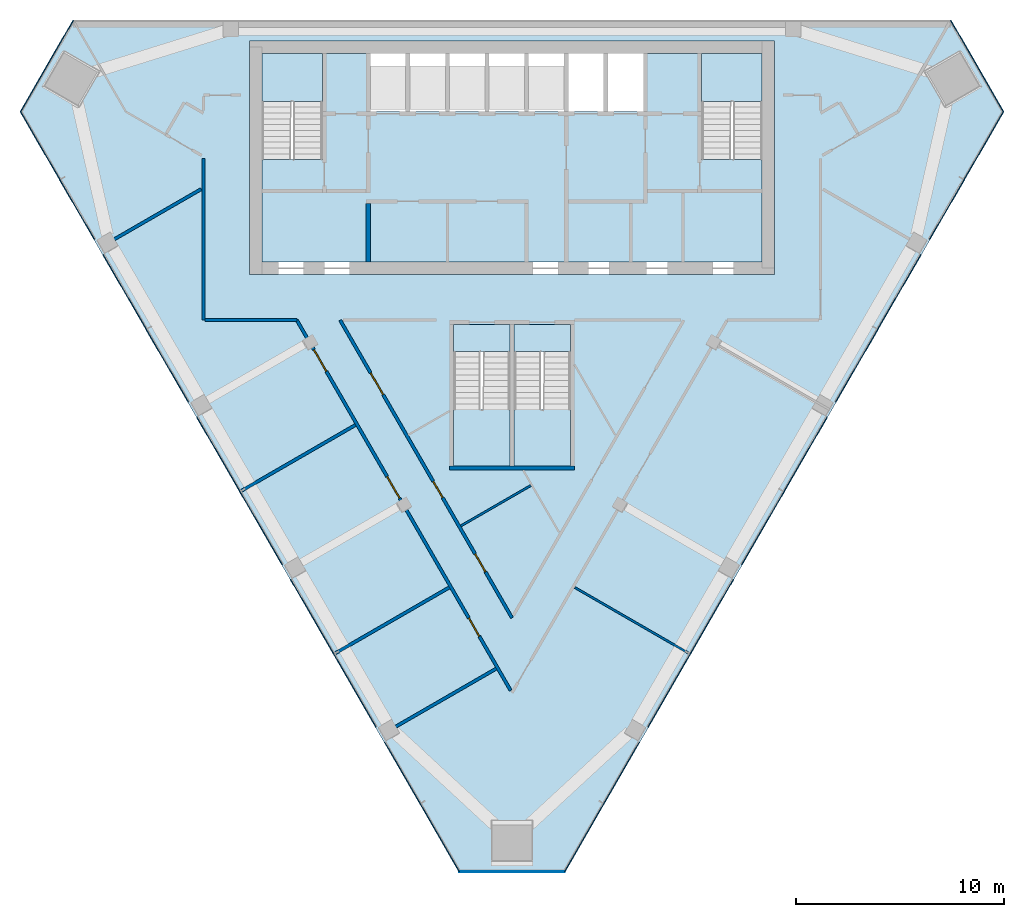
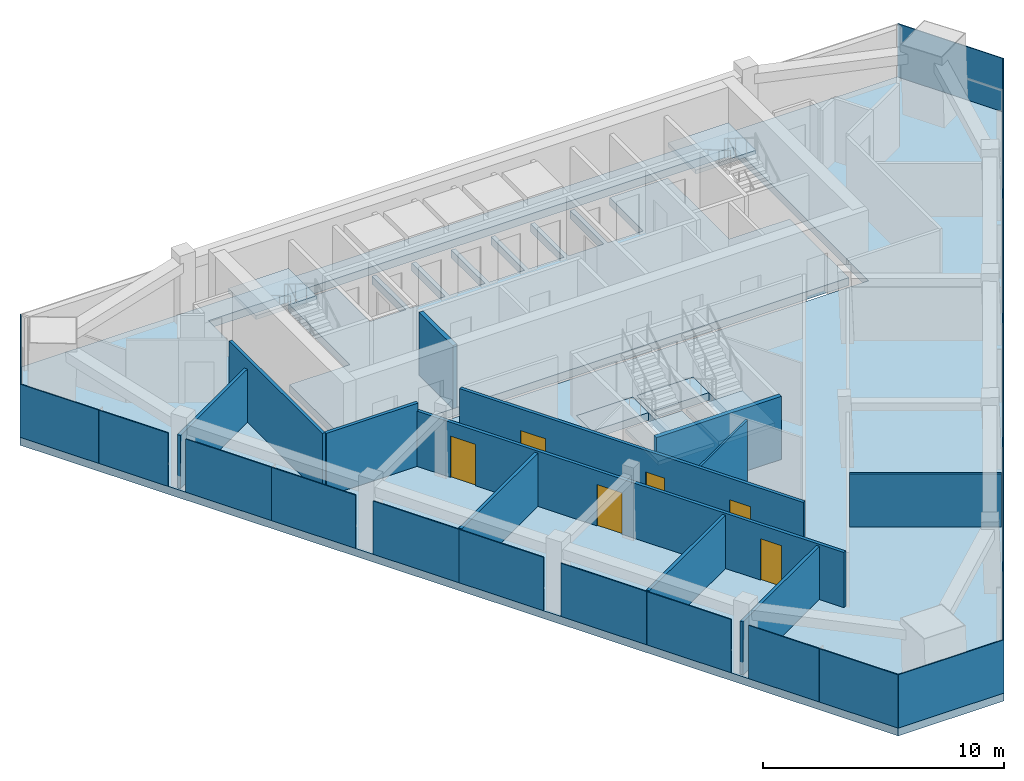
# One storey, part 7 of 12: 23 plates, 12 walls, 8 slabs, 6 doors, 6 openings, 9 elements without a shape of their own.
"""IFC4 building model written with IfcOpenShell, lengths in metres."""

from ifc_helpers import new_model, si_unit, direction, frame, frame_2d, origin, origin_2d, place, context, subcontext, project, spatial, polyline, rectangle, outline, extrude, material, layer, layer_set, type_object, element, fill, aggregate, save


model = new_model("IFC4")

# Units and contexts
model_context = context("Model", 3, precision=1e-05, world=origin(), true_north=direction((0.0, 1.0)))
body_context = subcontext(model_context, "Body", "Model", "MODEL_VIEW")
ifc_project = project(units=[si_unit("LENGTHUNIT", "METRE"), si_unit("AREAUNIT", "SQUARE_METRE"), si_unit("VOLUMEUNIT", "CUBIC_METRE"), si_unit("PLANEANGLEUNIT", "RADIAN"), si_unit("MASSUNIT", "GRAM", prefix="KILO")], contexts=[model_context])

# Site, building, storey
site_placement = place(None, origin())
site = spatial("IfcSite", under=ifc_project, at=site_placement, CompositionType="ELEMENT")
building_placement = place(site_placement, origin())
building = spatial("IfcBuilding", under=site, at=building_placement, Name="Altiplano Prism Tower", CompositionType="ELEMENT")
storey_placement = place(building_placement, frame((0.0, 0.0, 257.199951171875)))
storey = spatial("IfcBuildingStorey", under=building, at=storey_placement, Name="L66", CompositionType="ELEMENT", Elevation=257.199951171875)

# Curtain wall, plate
ifc_material_1 = material(Name="Aluminium and glass", Category="aluminium")
ifc_layer_1 = layer(ifc_material_1, 0.303955078125)
ifc_layer_set_1 = layer_set([ifc_layer_1], Name="Aluminium and glass")
curtain_wall_type = type_object("IfcCurtainWallType", Name="CW2 lounge-band unitised glazing", PredefinedType="NOTDEFINED", material=ifc_layer_set_1)
curtain_wall_1_placement = place(storey_placement, origin())
curtain_wall_1 = element("IfcCurtainWall", 1, at=curtain_wall_1_placement, inside=storey, type_object=curtain_wall_type, Name="CW2 curtain wall north-west chamfer L66", PredefinedType="NOTDEFINED")
ifc_material_2 = material(Name="Clear glass", Category="glass")
ifc_layer_2 = layer(ifc_material_2, 0.0439453125)
ifc_layer_set_2 = layer_set([ifc_layer_2], Name="Clear glass")
plate_type = type_object("IfcPlateType", Name="CW2 insulated glass unit 44", PredefinedType="CURTAIN_PANEL", material=ifc_layer_set_2)
plate_1_placement = place(storey_placement, frame((62.684326171875, 102.7900390625, 0.0), z_axis=(0.0, 0.0, 1.0), x_axis=(-0.50000002364, -0.866025390136, 0.0)))
plate_1 = element("IfcPlate", 2, at=plate_1_placement, type_object=plate_type, Name="CW2 panel", PredefinedType="CURTAIN_PANEL", context=body_context, shape_type="SweptSolid", body=[
    extrude(rectangle(XDim=5.068115234375, YDim=0.0439453125, at=origin_2d()), origin(), (0.0, 0.0, 1.0), 2.699951171875),
])
aggregate(curtain_wall_1, [plate_1])

# Curtain wall, plates
curtain_wall_2_placement = place(storey_placement, origin())
curtain_wall_2 = element("IfcCurtainWall", 3, at=curtain_wall_2_placement, inside=storey, type_object=curtain_wall_type, Name="CW2 curtain wall south-west face L66", PredefinedType="NOTDEFINED")
plate_2_placement = place(storey_placement, frame((62.360595703125, 98.975341796875, 0.0), z_axis=(0.0, 0.0, 1.0), x_axis=(0.500000004247, -0.866025401332, 0.0)))
plate_2 = element("IfcPlate", 4, at=plate_2_placement, type_object=plate_type, Name="CW2 panel", PredefinedType="CURTAIN_PANEL", context=body_context, shape_type="SweptSolid", body=[
    extrude(rectangle(XDim=3.7724609375, YDim=0.0439453125, at=origin_2d()), origin(), (0.0, 0.0, 1.0), 2.699951171875),
])
plate_3_placement = place(storey_placement, frame((64.13818359375, 95.896240234375, 0.0), z_axis=(0.0, 0.0, 1.0), x_axis=(0.500000004247, -0.866025401332, 0.0)))
plate_3 = element("IfcPlate", 5, at=plate_3_placement, type_object=plate_type, Name="CW2 panel", PredefinedType="CURTAIN_PANEL", context=body_context, shape_type="SweptSolid", body=[
    extrude(rectangle(XDim=3.31787109375, YDim=0.0439453125, at=origin_2d()), origin(), (0.0, 0.0, 1.0), 2.699951171875),
])
plate_4_placement = place(storey_placement, frame((66.416259765625, 91.950439453125, 0.0), z_axis=(0.0, 0.0, 1.0), x_axis=(0.500000004247, -0.866025401332, 0.0)))
plate_4 = element("IfcPlate", 6, at=plate_4_placement, type_object=plate_type, Name="CW2 panel", PredefinedType="CURTAIN_PANEL", context=body_context, shape_type="SweptSolid", body=[
    extrude(rectangle(XDim=4.114501953125, YDim=0.0439453125, at=origin_2d()), origin(), (0.0, 0.0, 1.0), 2.699951171875),
])
plate_5_placement = place(storey_placement, frame((68.458740234375, 88.412841796875, 0.0), z_axis=(0.0, 0.0, 1.0), x_axis=(0.500000004247, -0.866025401332, 0.0)))
plate_5 = element("IfcPlate", 7, at=plate_5_placement, type_object=plate_type, Name="CW2 panel", PredefinedType="CURTAIN_PANEL", context=body_context, shape_type="SweptSolid", body=[
    extrude(rectangle(XDim=4.035400390625, YDim=0.0439453125, at=origin_2d()), origin(), (0.0, 0.0, 1.0), 2.699951171875),
])
plate_6_placement = place(storey_placement, frame((70.916259765625, 84.15625, 0.0), z_axis=(0.0, 0.0, 1.0), x_axis=(0.500000004247, -0.866025401332, 0.0)))
plate_6 = element("IfcPlate", 8, at=plate_6_placement, type_object=plate_type, Name="CW2 panel", PredefinedType="CURTAIN_PANEL", context=body_context, shape_type="SweptSolid", body=[
    extrude(rectangle(XDim=4.114501953125, YDim=0.0439453125, at=origin_2d()), origin(), (0.0, 0.0, 1.0), 2.699951171875),
])
plate_7_placement = place(storey_placement, frame((72.958740234375, 80.618408203125, 0.0), z_axis=(0.0, 0.0, 1.0), x_axis=(0.500000004247, -0.866025401332, 0.0)))
plate_7 = element("IfcPlate", 9, at=plate_7_placement, type_object=plate_type, Name="CW2 panel", PredefinedType="CURTAIN_PANEL", context=body_context, shape_type="SweptSolid", body=[
    extrude(rectangle(XDim=4.035400390625, YDim=0.0439453125, at=origin_2d()), origin(), (0.0, 0.0, 1.0), 2.699951171875),
])
plate_8_placement = place(storey_placement, frame((75.416259765625, 76.362060546875, 0.0), z_axis=(0.0, 0.0, 1.0), x_axis=(0.500000004247, -0.866025401332, 0.0)))
plate_8 = element("IfcPlate", 10, at=plate_8_placement, type_object=plate_type, Name="CW2 panel", PredefinedType="CURTAIN_PANEL", context=body_context, shape_type="SweptSolid", body=[
    extrude(rectangle(XDim=4.114501953125, YDim=0.0439453125, at=origin_2d()), origin(), (0.0, 0.0, 1.0), 2.699951171875),
])
plate_9_placement = place(storey_placement, frame((77.458740234375, 72.82421875, 0.0), z_axis=(0.0, 0.0, 1.0), x_axis=(0.500000004247, -0.866025401332, 0.0)))
plate_9 = element("IfcPlate", 11, at=plate_9_placement, type_object=plate_type, Name="CW2 panel", PredefinedType="CURTAIN_PANEL", context=body_context, shape_type="SweptSolid", body=[
    extrude(rectangle(XDim=4.035400390625, YDim=0.0439453125, at=origin_2d()), origin(), (0.0, 0.0, 1.0), 2.699951171875),
])
plate_10_placement = place(storey_placement, frame((79.737060546875, 68.87841796875, 0.0), z_axis=(0.0, 0.0, 1.0), x_axis=(0.500000004247, -0.866025401332, 0.0)))
plate_10 = element("IfcPlate", 12, at=plate_10_placement, type_object=plate_type, Name="CW2 panel", PredefinedType="CURTAIN_PANEL", context=body_context, shape_type="SweptSolid", body=[
    extrude(rectangle(XDim=3.39697265625, YDim=0.0439453125, at=origin_2d()), origin(), (0.0, 0.0, 1.0), 2.699951171875),
])
plate_11_placement = place(storey_placement, frame((81.534423828125, 65.76513671875, 0.0), z_axis=(0.0, 0.0, 1.0), x_axis=(0.500000004247, -0.866025401332, 0.0)))
plate_11 = element("IfcPlate", 13, at=plate_11_placement, type_object=plate_type, Name="CW2 panel", PredefinedType="CURTAIN_PANEL", context=body_context, shape_type="SweptSolid", body=[
    extrude(rectangle(XDim=3.7724609375, YDim=0.0439453125, at=origin_2d()), origin(), (0.0, 0.0, 1.0), 2.699951171875),
])
aggregate(curtain_wall_2, [plate_2, plate_3, plate_4, plate_5, plate_6, plate_7, plate_8, plate_9, plate_10, plate_11])

# Curtain wall, plate
curtain_wall_3_placement = place(storey_placement, origin())
curtain_wall_3 = element("IfcCurtainWall", 14, at=curtain_wall_3_placement, inside=storey, type_object=curtain_wall_type, Name="CW2 curtain wall south chamfer L66", PredefinedType="NOTDEFINED")
plate_12_placement = place(storey_placement, frame((85.0, 64.138427734375, 0.0), z_axis=(0.0, 0.0, 1.0), x_axis=(1.0, 0.0, 0.0)))
plate_12 = element("IfcPlate", 15, at=plate_12_placement, type_object=plate_type, Name="CW2 panel", PredefinedType="CURTAIN_PANEL", context=body_context, shape_type="SweptSolid", body=[
    extrude(rectangle(XDim=5.068115234375, YDim=0.0439453125, at=origin_2d()), origin(), (0.0, 0.0, 1.0), 2.699951171875),
])
aggregate(curtain_wall_3, [plate_12])

# Curtain wall, plates
curtain_wall_4_placement = place(storey_placement, origin())
curtain_wall_4 = element("IfcCurtainWall", 16, at=curtain_wall_4_placement, inside=storey, type_object=curtain_wall_type, Name="CW2 curtain wall south-east face L66", PredefinedType="NOTDEFINED")
plate_13_placement = place(storey_placement, frame((88.465576171875, 65.76513671875, 0.0), z_axis=(0.0, 0.0, 1.0), x_axis=(0.500000004247, 0.866025401332, 0.0)))
plate_13 = element("IfcPlate", 17, at=plate_13_placement, type_object=plate_type, Name="CW2 panel", PredefinedType="CURTAIN_PANEL", context=body_context, shape_type="SweptSolid", body=[
    extrude(rectangle(XDim=3.7724609375, YDim=0.0439453125, at=origin_2d()), origin(), (0.0, 0.0, 1.0), 2.699951171875),
])
plate_14_placement = place(storey_placement, frame((90.262939453125, 68.87841796875, 0.0), z_axis=(0.0, 0.0, 1.0), x_axis=(0.500000004247, 0.866025401332, 0.0)))
plate_14 = element("IfcPlate", 18, at=plate_14_placement, type_object=plate_type, Name="CW2 panel", PredefinedType="CURTAIN_PANEL", context=body_context, shape_type="SweptSolid", body=[
    extrude(rectangle(XDim=3.39697265625, YDim=0.0439453125, at=origin_2d()), origin(), (0.0, 0.0, 1.0), 2.699951171875),
])
plate_15_placement = place(storey_placement, frame((92.541259765625, 72.82421875, 0.0), z_axis=(0.0, 0.0, 1.0), x_axis=(0.500000004247, 0.866025401332, 0.0)))
plate_15 = element("IfcPlate", 19, at=plate_15_placement, type_object=plate_type, Name="CW2 panel", PredefinedType="CURTAIN_PANEL", context=body_context, shape_type="SweptSolid", body=[
    extrude(rectangle(XDim=4.035400390625, YDim=0.0439453125, at=origin_2d()), origin(), (0.0, 0.0, 1.0), 2.699951171875),
])
plate_16_placement = place(storey_placement, frame((94.583740234375, 76.362060546875, 0.0), z_axis=(0.0, 0.0, 1.0), x_axis=(0.500000004247, 0.866025401332, 0.0)))
plate_16 = element("IfcPlate", 20, at=plate_16_placement, type_object=plate_type, Name="CW2 panel", PredefinedType="CURTAIN_PANEL", context=body_context, shape_type="SweptSolid", body=[
    extrude(rectangle(XDim=4.114501953125, YDim=0.0439453125, at=origin_2d()), origin(), (0.0, 0.0, 1.0), 2.699951171875),
])
plate_17_placement = place(storey_placement, frame((97.041259765625, 80.618408203125, 0.0), z_axis=(0.0, 0.0, 1.0), x_axis=(0.500000004247, 0.866025401332, 0.0)))
plate_17 = element("IfcPlate", 21, at=plate_17_placement, type_object=plate_type, Name="CW2 panel", PredefinedType="CURTAIN_PANEL", context=body_context, shape_type="SweptSolid", body=[
    extrude(rectangle(XDim=4.035400390625, YDim=0.0439453125, at=origin_2d()), origin(), (0.0, 0.0, 1.0), 2.699951171875),
])
plate_18_placement = place(storey_placement, frame((99.083740234375, 84.15625, 0.0), z_axis=(0.0, 0.0, 1.0), x_axis=(0.500000004247, 0.866025401332, 0.0)))
plate_18 = element("IfcPlate", 22, at=plate_18_placement, type_object=plate_type, Name="CW2 panel", PredefinedType="CURTAIN_PANEL", context=body_context, shape_type="SweptSolid", body=[
    extrude(rectangle(XDim=4.114501953125, YDim=0.0439453125, at=origin_2d()), origin(), (0.0, 0.0, 1.0), 2.699951171875),
])
plate_19_placement = place(storey_placement, frame((101.541259765625, 88.412841796875, 0.0), z_axis=(0.0, 0.0, 1.0), x_axis=(0.500000004247, 0.866025401332, 0.0)))
plate_19 = element("IfcPlate", 23, at=plate_19_placement, type_object=plate_type, Name="CW2 panel", PredefinedType="CURTAIN_PANEL", context=body_context, shape_type="SweptSolid", body=[
    extrude(rectangle(XDim=4.035400390625, YDim=0.0439453125, at=origin_2d()), origin(), (0.0, 0.0, 1.0), 2.699951171875),
])
plate_20_placement = place(storey_placement, frame((103.583740234375, 91.950439453125, 0.0), z_axis=(0.0, 0.0, 1.0), x_axis=(0.500000004247, 0.866025401332, 0.0)))
plate_20 = element("IfcPlate", 24, at=plate_20_placement, type_object=plate_type, Name="CW2 panel", PredefinedType="CURTAIN_PANEL", context=body_context, shape_type="SweptSolid", body=[
    extrude(rectangle(XDim=4.114501953125, YDim=0.0439453125, at=origin_2d()), origin(), (0.0, 0.0, 1.0), 2.699951171875),
])
plate_21_placement = place(storey_placement, frame((105.86181640625, 95.896240234375, 0.0), z_axis=(0.0, 0.0, 1.0), x_axis=(0.500000004247, 0.866025401332, 0.0)))
plate_21 = element("IfcPlate", 25, at=plate_21_placement, type_object=plate_type, Name="CW2 panel", PredefinedType="CURTAIN_PANEL", context=body_context, shape_type="SweptSolid", body=[
    extrude(rectangle(XDim=3.31787109375, YDim=0.0439453125, at=origin_2d()), origin(), (0.0, 0.0, 1.0), 2.699951171875),
])
plate_22_placement = place(storey_placement, frame((107.639404296875, 98.975341796875, 0.0), z_axis=(0.0, 0.0, 1.0), x_axis=(0.500000004247, 0.866025401332, 0.0)))
plate_22 = element("IfcPlate", 26, at=plate_22_placement, type_object=plate_type, Name="CW2 panel", PredefinedType="CURTAIN_PANEL", context=body_context, shape_type="SweptSolid", body=[
    extrude(rectangle(XDim=3.7724609375, YDim=0.0439453125, at=origin_2d()), origin(), (0.0, 0.0, 1.0), 2.699951171875),
])
aggregate(curtain_wall_4, [plate_13, plate_14, plate_15, plate_16, plate_17, plate_18, plate_19, plate_20, plate_21, plate_22])

# Curtain wall, plate
curtain_wall_5_placement = place(storey_placement, origin())
curtain_wall_5 = element("IfcCurtainWall", 27, at=curtain_wall_5_placement, inside=storey, type_object=curtain_wall_type, Name="CW2 curtain wall north-east chamfer L66", PredefinedType="NOTDEFINED")
plate_23_placement = place(storey_placement, frame((107.315673828125, 102.7900390625, 0.0), z_axis=(0.0, 0.0, 1.0), x_axis=(-0.50000002364, 0.866025390136, 0.0)))
plate_23 = element("IfcPlate", 28, at=plate_23_placement, type_object=plate_type, Name="CW2 panel", PredefinedType="CURTAIN_PANEL", context=body_context, shape_type="SweptSolid", body=[
    extrude(rectangle(XDim=5.068115234375, YDim=0.0439453125, at=origin_2d()), origin(), (0.0, 0.0, 1.0), 2.699951171875),
])
aggregate(curtain_wall_5, [plate_23])

# Slabs
ifc_material_3 = material(Name="Concrete C40/50", Category="concrete")
ifc_layer_3 = layer(ifc_material_3, 0.39990234375)
ifc_layer_set_3 = layer_set([ifc_layer_3], Name="Concrete C40/50")
slab_type_1 = type_object("IfcSlabType", Name="Core floor slab 400", PredefinedType="FLOOR", material=ifc_layer_set_3)
slab_1_placement = place(storey_placement, frame((0.0, 0.0, -0.39990234375)))
element("IfcSlab", 29, at=slab_1_placement, inside=storey, type_object=slab_type_1, Name="Core floor slab L66", PredefinedType="FLOOR", context=body_context, shape_type="SweptSolid", body=[
    extrude(outline(polyline([(97.0, 98.31005859375), (94.10009765625, 98.31005859375), (94.10009765625, 103.39990234375), (91.300048828125, 103.39990234375), (91.300048828125, 100.60009765625), (89.60009765625, 100.60009765625), (89.60009765625, 103.39990234375), (89.39990234375, 103.39990234375), (89.39990234375, 100.60009765625), (87.699951171875, 100.60009765625), (87.699951171875, 103.39990234375), (87.5, 103.39990234375), (87.5, 100.60009765625), (85.800048828125, 100.60009765625), (85.800048828125, 103.39990234375), (85.60009765625, 103.39990234375), (85.60009765625, 100.60009765625), (83.89990234375, 100.60009765625), (83.89990234375, 103.39990234375), (83.699951171875, 103.39990234375), (83.699951171875, 100.60009765625), (82.0, 100.60009765625), (82.0, 103.39990234375), (81.800048828125, 103.39990234375), (81.800048828125, 100.60009765625), (80.10009765625, 100.60009765625), (80.10009765625, 103.39990234375), (79.89990234375, 103.39990234375), (79.89990234375, 100.60009765625), (78.199951171875, 100.60009765625), (78.199951171875, 103.39990234375), (75.89990234375, 103.39990234375), (75.89990234375, 98.31005859375), (73.0, 98.31005859375), (73.0, 93.39990234375), (97.0, 93.39990234375), (97.0, 98.31005859375)])), origin(), (0.0, 0.0, 1.0), 0.39990234375),
])
slab_2_placement = place(storey_placement, frame((0.0, 0.0, -0.39990234375)))
element("IfcSlab", 30, at=slab_2_placement, inside=storey, type_object=slab_type_1, Name="Stair 3A landing slab L66", PredefinedType="FLOOR", context=body_context, shape_type="SweptSolid", body=[
    extrude(outline(polyline([(82.199951171875, 89.096923828125), (84.89990234375, 89.096923828125), (84.89990234375, 90.39990234375), (82.199951171875, 90.39990234375), (82.199951171875, 89.096923828125)])), origin(), (0.0, 0.0, 1.0), 0.39990234375),
])
slab_3_placement = place(storey_placement, frame((0.0, 0.0, -0.39990234375)))
element("IfcSlab", 31, at=slab_3_placement, inside=storey, type_object=slab_type_1, Name="Stair 3B landing slab L66", PredefinedType="FLOOR", context=body_context, shape_type="SweptSolid", body=[
    extrude(outline(polyline([(85.10009765625, 89.096923828125), (87.800048828125, 89.096923828125), (87.800048828125, 90.39990234375), (85.10009765625, 90.39990234375), (85.10009765625, 89.096923828125)])), origin(), (0.0, 0.0, 1.0), 0.39990234375),
])
ifc_layer_4 = layer(ifc_material_3, 0.39990234375)
ifc_layer_set_4 = layer_set([ifc_layer_4], Name="Concrete C40/50")
slab_type_2 = type_object("IfcSlabType", Name="Post-tensioned flat slab 400", PredefinedType="FLOOR", material=ifc_layer_set_4)
slab_4_placement = place(storey_placement, frame((0.0, 0.0, -0.39990234375)))
element("IfcSlab", 32, at=slab_4_placement, inside=storey, type_object=slab_type_2, Name="Floor slab L66", PredefinedType="FLOOR", context=body_context, shape_type="SweptSolid", body=[
    extrude(outline(polyline([(82.4609375, 64.116455078125), (61.395751953125, 100.60205078125), (63.934814453125, 105.0), (106.065185546875, 105.0), (108.604248046875, 100.60205078125), (87.5390625, 64.116455078125), (82.4609375, 64.116455078125)]), holes=[polyline([(72.39990234375, 104.0), (72.39990234375, 92.800048828125), (97.60009765625, 92.800048828125), (97.60009765625, 104.0), (72.39990234375, 104.0)]), polyline([(84.89990234375, 90.39990234375), (82.199951171875, 90.39990234375), (82.199951171875, 83.60009765625), (84.89990234375, 83.60009765625), (84.89990234375, 90.39990234375)]), polyline([(87.800048828125, 83.60009765625), (87.800048828125, 90.39990234375), (85.10009765625, 90.39990234375), (85.10009765625, 83.60009765625), (87.800048828125, 83.60009765625)])]), origin(), (0.0, 0.0, 1.0), 0.39990234375),
])

# Stair, slab
stair_type_1 = type_object("IfcStairType", Name="Exit stair 1400", PredefinedType="HALF_TURN_STAIR", material=ifc_material_3)
stair_1_placement = place(storey_placement, origin())
stair_1 = element("IfcStair", 33, at=stair_1_placement, inside=storey, type_object=stair_type_1, Name="L66 Exit Stair 1", PredefinedType="HALF_TURN_STAIR")
ifc_layer_5 = layer(ifc_material_3, 0.199951171875)
ifc_layer_set_5 = layer_set([ifc_layer_5], Name="Concrete C40/50")
slab_type_3 = type_object("IfcSlabType", Name="Stair landing 200", PredefinedType="LANDING", material=ifc_layer_set_5)
slab_5_placement = place(storey_placement, frame((0.0, 0.0, 1.60009765625)))
slab_5 = element("IfcSlab", 34, at=slab_5_placement, type_object=slab_type_3, Name="ST1 landing 1", PredefinedType="LANDING", context=body_context, shape_type="SweptSolid", body=[
    extrude(outline(polyline([(75.89990234375, 101.096923828125), (75.89990234375, 103.39990234375), (73.0, 103.39990234375), (73.0, 101.096923828125), (75.89990234375, 101.096923828125)])), origin(), (0.0, 0.0, 1.0), 0.199951171875),
])
aggregate(stair_1, [slab_5])

stair_2_placement = place(storey_placement, origin())
stair_2 = element("IfcStair", 35, at=stair_2_placement, inside=storey, type_object=stair_type_1, Name="L66 Exit Stair 2", PredefinedType="HALF_TURN_STAIR")
slab_6_placement = place(storey_placement, frame((0.0, 0.0, 1.60009765625)))
slab_6 = element("IfcSlab", 36, at=slab_6_placement, type_object=slab_type_3, Name="ST2 landing 1", PredefinedType="LANDING", context=body_context, shape_type="SweptSolid", body=[
    extrude(outline(polyline([(97.0, 101.096923828125), (97.0, 103.39990234375), (94.10009765625, 103.39990234375), (94.10009765625, 101.096923828125), (97.0, 101.096923828125)])), origin(), (0.0, 0.0, 1.0), 0.199951171875),
])
aggregate(stair_2, [slab_6])

stair_type_2 = type_object("IfcStairType", Name="Exit stair 1300", PredefinedType="HALF_TURN_STAIR", material=ifc_material_3)
stair_3_placement = place(storey_placement, origin())
stair_3 = element("IfcStair", 37, at=stair_3_placement, inside=storey, type_object=stair_type_2, Name="L66 Exit Stair 3A", PredefinedType="HALF_TURN_STAIR")
slab_7_placement = place(storey_placement, frame((0.0, 0.0, 1.60009765625)))
slab_7 = element("IfcSlab", 38, at=slab_7_placement, type_object=slab_type_3, Name="ST3A landing 1", PredefinedType="LANDING", context=body_context, shape_type="SweptSolid", body=[
    extrude(outline(polyline([(82.199951171875, 86.302978515625), (82.199951171875, 83.60009765625), (84.89990234375, 83.60009765625), (84.89990234375, 86.302978515625), (82.199951171875, 86.302978515625)])), origin(), (0.0, 0.0, 1.0), 0.199951171875),
])
aggregate(stair_3, [slab_7])

stair_4_placement = place(storey_placement, origin())
stair_4 = element("IfcStair", 39, at=stair_4_placement, inside=storey, type_object=stair_type_2, Name="L66 Exit Stair 3B", PredefinedType="HALF_TURN_STAIR")
slab_8_placement = place(storey_placement, frame((0.0, 0.0, 1.60009765625)))
slab_8 = element("IfcSlab", 40, at=slab_8_placement, type_object=slab_type_3, Name="ST3B landing 1", PredefinedType="LANDING", context=body_context, shape_type="SweptSolid", body=[
    extrude(outline(polyline([(85.10009765625, 86.302978515625), (85.10009765625, 83.60009765625), (87.800048828125, 83.60009765625), (87.800048828125, 86.302978515625), (85.10009765625, 86.302978515625)])), origin(), (0.0, 0.0, 1.0), 0.199951171875),
])
aggregate(stair_4, [slab_8])

# Walls
ifc_material_4 = material(Name="Plasterboard on steel stud", Category="steel")
ifc_layer_6 = layer(ifc_material_4, 0.10009765625)
ifc_layer_set_6 = layer_set([ifc_layer_6], Name="Plasterboard on steel stud")
wall_type_1 = type_object("IfcWallType", Name="Partition 100 wet", PredefinedType="PARTITIONING", material=ifc_layer_set_6)
wall_1_placement = place(storey_placement, frame((82.5419921875, 80.725830078125, 0.0), z_axis=(0.0, 0.0, 1.0), x_axis=(0.865997036079, 0.500049131089, 0.0)))
element("IfcWall", 41, at=wall_1_placement, inside=storey, type_object=wall_type_1, Name="Partition P03 L66 024", PredefinedType="PARTITIONING", context=body_context, shape_type="SweptSolid", body=[
    extrude(rectangle(XDim=3.88134765625, YDim=0.10009765625, at=frame_2d((1.940673828125, 0.0))), origin(), (0.0, 0.0, 1.0), 3.199951171875),
])
wall_2_placement = place(storey_placement, frame((93.485107421875, 74.614990234375, 0.0), z_axis=(0.0, 0.0, 1.0), x_axis=(-0.866025537322, 0.499999768706, 0.0)))
element("IfcWall", 42, at=wall_2_placement, inside=storey, type_object=wall_type_1, Name="Partition P03 L66 031", PredefinedType="PARTITIONING", context=body_context, shape_type="SweptSolid", body=[
    extrude(rectangle(XDim=6.3251953125, YDim=0.10009765625, at=frame_2d((3.16259765625, 0.0))), origin(), (0.0, 0.0, 1.0), 2.699951171875),
])
ifc_layer_7 = layer(ifc_material_4, 0.14990234375)
ifc_layer_set_7 = layer_set([ifc_layer_7], Name="Plasterboard on steel stud")
wall_type_2 = type_object("IfcWallType", Name="Partition 150 corridor", PredefinedType="PARTITIONING", material=ifc_layer_set_7)
wall_3_placement = place(storey_placement, frame((70.199951171875, 98.352783203125, 0.0), z_axis=(0.0, 0.0, 1.0), x_axis=(0.0, -1.0, 0.0)))
element("IfcWall", 43, at=wall_3_placement, inside=storey, type_object=wall_type_2, Name="Partition P06 L66 003", PredefinedType="PARTITIONING", context=body_context, shape_type="SweptSolid", body=[
    extrude(rectangle(XDim=7.752685546875, YDim=0.14990234375, at=frame_2d((3.87646484375, 0.0))), origin(), (0.0, 0.0, 1.0), 3.199951171875),
])
wall_4_placement = place(storey_placement, frame((70.27490234375, 90.60009765625, 0.0), z_axis=(0.0, 0.0, 1.0), x_axis=(1.0, 0.0, 0.0)))
element("IfcWall", 44, at=wall_4_placement, inside=storey, type_object=wall_type_2, Name="Partition P06 L66 004", PredefinedType="PARTITIONING", context=body_context, shape_type="SweptSolid", body=[
    extrude(rectangle(XDim=4.401123046875, YDim=0.14990234375, at=frame_2d((2.20068359375, 0.0))), origin(), (0.0, 0.0, 1.0), 3.199951171875),
])

# Wall, openings, doors
wall_5_placement = place(storey_placement, frame((74.676025390625, 90.60009765625, 0.0), z_axis=(0.0, 0.0, 1.0), x_axis=(0.500002612168, -0.866023895643, 0.0)))
wall_5 = element("IfcWall", 45, at=wall_5_placement, inside=storey, type_object=wall_type_2, Name="Partition P06 L66 005", PredefinedType="PARTITIONING", context=body_context, shape_type="SweptSolid", body=[
    extrude(rectangle(XDim=20.51806640625, YDim=0.14990234375, at=frame_2d((10.259033203125, 0.0))), origin(), (0.0, 0.0, 1.0), 2.800048828125),
])
opening_1_placement = place(wall_5_placement, frame((1.64208984375, 0.0, 0.0)))
opening_1 = element("IfcOpeningElement", 46, at=opening_1_placement, cuts=wall_5, Name="Opening D2128", PredefinedType="OPENING", context=body_context, shape_type="SweptSolid", body=[
    extrude(rectangle(XDim=1.199951171875, YDim=2.10009765625, at=frame_2d((0.60009765625, 1.050048828125))), frame((0.0, 0.08544921875, 0.0), z_axis=(0.0, -1.0, 0.0), x_axis=(1.0, 0.0, 0.0)), (0.0, 0.0, 1.0), 0.1708984375),
])
opening_2_placement = place(wall_5_placement, frame((8.6630859375, 0.0, 0.0)))
opening_2 = element("IfcOpeningElement", 47, at=opening_2_placement, cuts=wall_5, Name="Opening D2129", PredefinedType="OPENING", context=body_context, shape_type="SweptSolid", body=[
    extrude(rectangle(XDim=1.199951171875, YDim=2.10009765625, at=frame_2d((0.60009765625, 1.050048828125))), frame((0.0, 0.08544921875, 0.0), z_axis=(0.0, -1.0, 0.0), x_axis=(1.0, 0.0, 0.0)), (0.0, 0.0, 1.0), 0.1708984375),
])
opening_3_placement = place(wall_5_placement, frame((16.512939453125, 0.0, 0.0)))
opening_3 = element("IfcOpeningElement", 48, at=opening_3_placement, cuts=wall_5, Name="Opening D2130", PredefinedType="OPENING", context=body_context, shape_type="SweptSolid", body=[
    extrude(rectangle(XDim=1.0, YDim=2.10009765625, at=frame_2d((0.5, 1.050048828125))), frame((0.0, 0.08544921875, 0.0), z_axis=(0.0, -1.0, 0.0), x_axis=(1.0, 0.0, 0.0)), (0.0, 0.0, 1.0), 0.1708984375),
])
ifc_material_5 = material(Name="Timber", Category="wood")
door_type_1 = type_object("IfcDoorType", Name="Room door 1000 x 2100", OperationType="NOTDEFINED", PredefinedType="NOTDEFINED", material=ifc_material_5)
door_1_placement = place(opening_3_placement, origin())
door_1 = element("IfcDoor", 49, at=door_1_placement, inside=storey, type_object=door_type_1, Name="Door D2130", OperationType="SINGLE_SWING_LEFT", OverallHeight=2.10009765625, OverallWidth=1.0, PredefinedType="NOTDEFINED", context=body_context, shape_type="SweptSolid", body=[
    extrude(rectangle(XDim=1.0, YDim=2.10009765625, at=frame_2d((0.5, 1.050048828125))), frame((0.0, 0.02490234375, 0.0), z_axis=(0.0, -1.0, 0.0), x_axis=(1.0, 0.0, 0.0)), (0.0, 0.0, 1.0), 0.050048828125),
])
fill(opening_3, door_1)
door_type_2 = type_object("IfcDoorType", Name="Shared room door 1200 x 2100", OperationType="NOTDEFINED", PredefinedType="NOTDEFINED", material=ifc_material_5)
door_2_placement = place(opening_1_placement, origin())
door_2 = element("IfcDoor", 50, at=door_2_placement, inside=storey, type_object=door_type_2, Name="Door D2128", OperationType="SINGLE_SWING_RIGHT", OverallHeight=2.10009765625, OverallWidth=1.199951171875, PredefinedType="NOTDEFINED", context=body_context, shape_type="SweptSolid", body=[
    extrude(rectangle(XDim=1.199951171875, YDim=2.10009765625, at=frame_2d((0.60009765625, 1.050048828125))), frame((0.0, 0.02490234375, 0.0), z_axis=(0.0, -1.0, 0.0), x_axis=(1.0, 0.0, 0.0)), (0.0, 0.0, 1.0), 0.050048828125),
])
fill(opening_1, door_2)
door_3_placement = place(opening_2_placement, origin())
door_3 = element("IfcDoor", 51, at=door_3_placement, inside=storey, type_object=door_type_2, Name="Door D2129", OperationType="SINGLE_SWING_LEFT", OverallHeight=2.10009765625, OverallWidth=1.199951171875, PredefinedType="NOTDEFINED", context=body_context, shape_type="SweptSolid", body=[
    extrude(rectangle(XDim=1.199951171875, YDim=2.10009765625, at=frame_2d((0.60009765625, 1.050048828125))), frame((0.0, 0.02490234375, 0.0), z_axis=(0.0, -1.0, 0.0), x_axis=(1.0, 0.0, 0.0)), (0.0, 0.0, 1.0), 0.050048828125),
])
fill(opening_2, door_3)

wall_6_placement = place(storey_placement, frame((85.0, 76.318603515625, 0.0), z_axis=(0.0, 0.0, 1.0), x_axis=(-0.499997127563, 0.866027062181, 0.0)))
wall_6 = element("IfcWall", 52, at=wall_6_placement, inside=storey, type_object=wall_type_2, Name="Partition P06 L66 018", PredefinedType="PARTITIONING", context=body_context, shape_type="SweptSolid", body=[
    extrude(rectangle(XDim=16.49072265625, YDim=0.14990234375, at=frame_2d((8.245361328125, 0.0))), origin(), (0.0, 0.0, 1.0), 3.199951171875),
])
opening_4_placement = place(wall_6_placement, frame((6.660888671875, 0.0, 0.0)))
opening_4 = element("IfcOpeningElement", 53, at=opening_4_placement, cuts=wall_6, Name="Opening D2126", PredefinedType="OPENING", context=body_context, shape_type="SweptSolid", body=[
    extrude(rectangle(XDim=0.89990234375, YDim=2.10009765625, at=frame_2d((0.449951171875, 1.050048828125))), frame((0.0, 0.08544921875, 0.0), z_axis=(0.0, -1.0, 0.0), x_axis=(1.0, 0.0, 0.0)), (0.0, 0.0, 1.0), 0.1708984375),
])
opening_5_placement = place(wall_6_placement, frame((12.3701171875, 0.0, 0.0)))
opening_5 = element("IfcOpeningElement", 54, at=opening_5_placement, cuts=wall_6, Name="Opening D2137", PredefinedType="OPENING", context=body_context, shape_type="SweptSolid", body=[
    extrude(rectangle(XDim=1.199951171875, YDim=2.10009765625, at=frame_2d((0.60009765625, 1.050048828125))), frame((0.0, 0.08544921875, 0.0), z_axis=(0.0, -1.0, 0.0), x_axis=(1.0, 0.0, 0.0)), (0.0, 0.0, 1.0), 0.1708984375),
])
opening_6_placement = place(wall_6_placement, frame((2.5439453125, 0.0, 0.0)))
opening_6 = element("IfcOpeningElement", 55, at=opening_6_placement, cuts=wall_6, Name="Opening D2139", PredefinedType="OPENING", context=body_context, shape_type="SweptSolid", body=[
    extrude(rectangle(XDim=1.0, YDim=2.10009765625, at=frame_2d((0.5, 1.050048828125))), frame((0.0, 0.08544921875, 0.0), z_axis=(0.0, -1.0, 0.0), x_axis=(1.0, 0.0, 0.0)), (0.0, 0.0, 1.0), 0.1708984375),
])
door_4_placement = place(opening_5_placement, origin())
door_4 = element("IfcDoor", 56, at=door_4_placement, inside=storey, type_object=door_type_2, Name="Door D2137", OperationType="SINGLE_SWING_LEFT", OverallHeight=2.10009765625, OverallWidth=1.199951171875, PredefinedType="NOTDEFINED", context=body_context, shape_type="SweptSolid", body=[
    extrude(rectangle(XDim=1.199951171875, YDim=2.10009765625, at=frame_2d((0.60009765625, 1.050048828125))), frame((0.0, 0.02490234375, 0.0), z_axis=(0.0, -1.0, 0.0), x_axis=(1.0, 0.0, 0.0)), (0.0, 0.0, 1.0), 0.050048828125),
])
fill(opening_5, door_4)
door_type_3 = type_object("IfcDoorType", Name="Store door 1000 x 2100", OperationType="NOTDEFINED", PredefinedType="NOTDEFINED", material=ifc_material_5)
door_5_placement = place(opening_6_placement, origin())
door_5 = element("IfcDoor", 57, at=door_5_placement, inside=storey, type_object=door_type_3, Name="Door D2139", OperationType="SINGLE_SWING_LEFT", OverallHeight=2.10009765625, OverallWidth=1.0, PredefinedType="NOTDEFINED", context=body_context, shape_type="SweptSolid", body=[
    extrude(rectangle(XDim=1.0, YDim=2.10009765625, at=frame_2d((0.5, 1.050048828125))), frame((0.0, 0.02490234375, 0.0), z_axis=(0.0, -1.0, 0.0), x_axis=(1.0, 0.0, 0.0)), (0.0, 0.0, 1.0), 0.050048828125),
])
fill(opening_6, door_5)
door_type_4 = type_object("IfcDoorType", Name="Toilet door 900 x 2100", OperationType="NOTDEFINED", PredefinedType="NOTDEFINED", material=ifc_material_5)
door_6_placement = place(opening_4_placement, origin())
door_6 = element("IfcDoor", 58, at=door_6_placement, inside=storey, type_object=door_type_4, Name="Door D2126", OperationType="SINGLE_SWING_LEFT", OverallHeight=2.10009765625, OverallWidth=0.89990234375, PredefinedType="NOTDEFINED", context=body_context, shape_type="SweptSolid", body=[
    extrude(rectangle(XDim=0.89990234375, YDim=2.10009765625, at=frame_2d((0.449951171875, 1.050048828125))), frame((0.0, 0.02490234375, 0.0), z_axis=(0.0, -1.0, 0.0), x_axis=(1.0, 0.0, 0.0)), (0.0, 0.0, 1.0), 0.050048828125),
])
fill(opening_4, door_6)

# Walls
ifc_layer_8 = layer(ifc_material_4, 0.14990234375)
ifc_layer_set_8 = layer_set([ifc_layer_8], Name="Plasterboard on steel stud")
wall_type_3 = type_object("IfcWallType", Name="Partition 150 party", PredefinedType="PARTITIONING", material=ifc_layer_set_8)
wall_7_placement = place(storey_placement, frame((65.264892578125, 94.1005859375, 0.0), z_axis=(0.0, 0.0, 1.0), x_axis=(0.866014010515, 0.500019733201, 0.0)))
element("IfcWall", 59, at=wall_7_placement, inside=storey, type_object=wall_type_3, Name="Partition P01 L66 025", PredefinedType="PARTITIONING", context=body_context, shape_type="SweptSolid", body=[
    extrude(rectangle(XDim=5.568603515625, YDim=0.14990234375, at=frame_2d((2.7841796875, 0.0))), origin(), (0.0, 0.0, 1.0), 2.699951171875),
])
for number, where, z_axis, x_axis, name in (
    (60, (72.014892578125, 82.4091796875, 0.0), (0.0, 0.0, 1.0), (0.866025537322, 0.499999768706, 0.0), "Partition P01 L66 028"),
    (61, (76.514892578125, 74.614990234375, 0.0), (0.0, 0.0, 1.0), (0.866025537322, 0.499999768706, 0.0), "Partition P01 L66 029"),
    (62, (78.764892578125, 70.718017578125, 0.0), (0.0, 0.0, 1.0), (0.866042250622, 0.499970819286, 0.0), "Partition P01 L66 030"),
):
    element("IfcWall", number, at=place(storey_placement, frame(where, z_axis=z_axis, x_axis=x_axis)), inside=storey, type_object=wall_type_3, Name=name, PredefinedType="PARTITIONING", context=body_context, shape_type="SweptSolid", body=[
        extrude(rectangle(XDim=6.3251953125, YDim=0.14990234375, at=frame_2d((3.16259765625, 0.0))), origin(), (0.0, 0.0, 1.0), 2.699951171875),
    ])
ifc_material_6 = material(Name="Concrete C60/75", Category="concrete")
ifc_layer_9 = layer(ifc_material_6, 0.199951171875)
ifc_layer_set_9 = layer_set([ifc_layer_9], Name="Concrete C60/75")
wall_type_4 = type_object("IfcWallType", Name="Stair wall 200", PredefinedType="SOLIDWALL", material=ifc_layer_set_9)
wall_8_placement = place(storey_placement, frame((82.0, 83.5, 0.0), z_axis=(0.0, 0.0, 1.0), x_axis=(1.0, 0.0, 0.0)))
element("IfcWall", 63, at=wall_8_placement, inside=storey, type_object=wall_type_4, Name="Stair 3 wall south L66", PredefinedType="SOLIDWALL", context=body_context, shape_type="SweptSolid", body=[
    extrude(rectangle(XDim=6.0, YDim=0.199951171875, at=frame_2d((3.0, 0.0))), origin(), (0.0, 0.0, 1.0), 3.199951171875),
])
ifc_layer_10 = layer(ifc_material_6, 0.199951171875)
ifc_layer_set_10 = layer_set([ifc_layer_10], Name="Concrete C60/75")
wall_type_5 = type_object("IfcWallType", Name="Vestibule wall 200", PredefinedType="PARTITIONING", material=ifc_layer_set_10)
wall_9_placement = place(storey_placement, frame((78.10009765625, 93.39990234375, 0.0), z_axis=(0.0, 0.0, 1.0), x_axis=(0.0, 1.0, 0.0)))
element("IfcWall", 64, at=wall_9_placement, inside=storey, type_object=wall_type_5, Name="Vestibule wall L66", PredefinedType="PARTITIONING", context=body_context, shape_type="SweptSolid", body=[
    extrude(rectangle(XDim=2.800048828125, YDim=0.199951171875, at=frame_2d((1.39990234375, 0.0))), origin(), (0.0, 0.0, 1.0), 3.199951171875),
])

save(model, "model.ifc")
